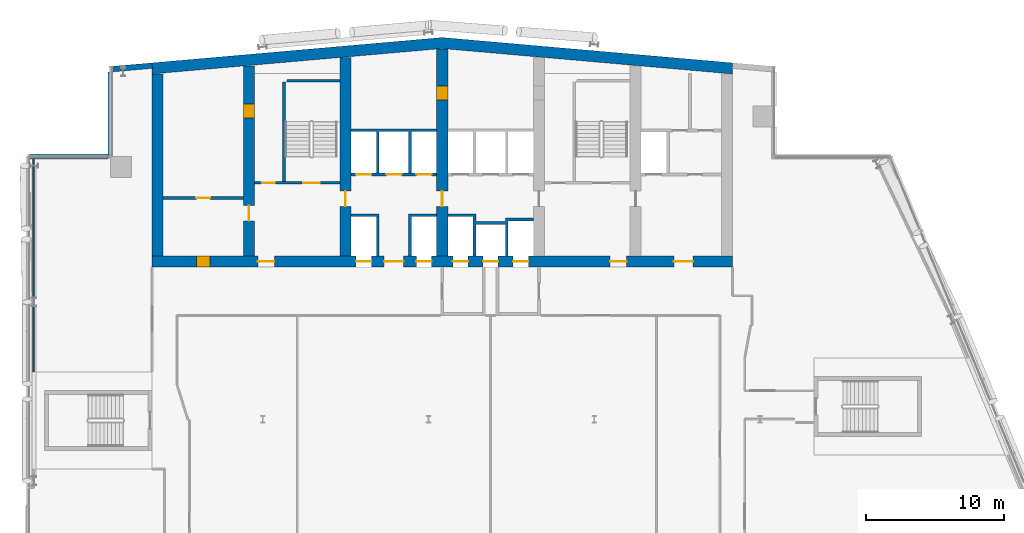
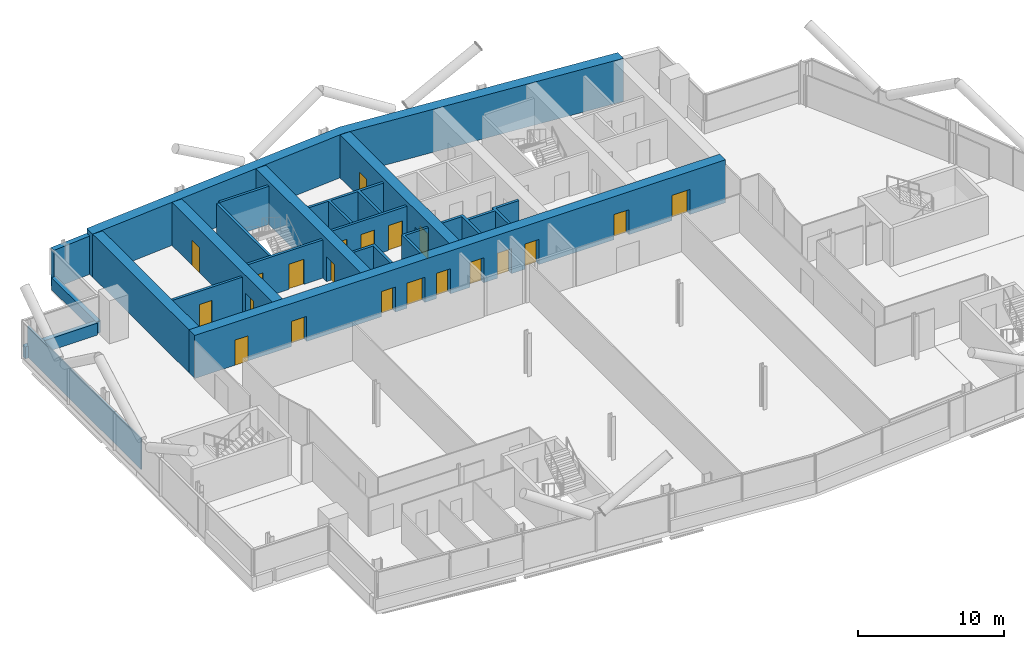
# One storey, part 17 of 26: 21 doors, 19 walls, 21 openings.
"""IFC4 building model written with IfcOpenShell, lengths in metres."""

from ifc_helpers import new_model, si_unit, direction, frame, frame_2d, origin, place, context, subcontext, project, spatial, polyline, rectangle, outline, extrude, material, layer, layer_set, type_object, element, fill, save


model = new_model("IFC4")

# Units and contexts
model_context = context("Model", 3, precision=1e-05, world=origin(), true_north=direction((0.0, 1.0)))
body_context = subcontext(model_context, "Body", "Model", "MODEL_VIEW")
ifc_project = project(units=[si_unit("LENGTHUNIT", "METRE"), si_unit("AREAUNIT", "SQUARE_METRE"), si_unit("VOLUMEUNIT", "CUBIC_METRE"), si_unit("PLANEANGLEUNIT", "RADIAN"), si_unit("MASSUNIT", "GRAM", prefix="KILO")], contexts=[model_context])

# Site, building, storey
site_placement = place(None, origin())
site = spatial("IfcSite", under=ifc_project, at=site_placement, CompositionType="ELEMENT")
building_placement = place(site_placement, origin())
building = spatial("IfcBuilding", under=site, at=building_placement, Name="Wharfspan Tower", CompositionType="ELEMENT")
storey_placement = place(building_placement, frame((0.0, 0.0, 180.699951)))
storey = spatial("IfcBuildingStorey", under=building, at=storey_placement, Name="L44", CompositionType="ELEMENT", Elevation=180.699951)

# Wall, opening, door
ifc_material_1 = material(Name="Calcium silicate masonry", Category="masonry")
ifc_layer_1 = layer(ifc_material_1, 0.199951)
ifc_layer_set_1 = layer_set([ifc_layer_1], Name="Calcium silicate masonry")
wall_type_1 = type_object("IfcWallType", Name="Core room wall 200", PredefinedType="PARTITIONING", material=ifc_layer_set_1)
wall_1_placement = place(storey_placement, frame((16.800049, 39.0, 0.0), z_axis=(0.0, 0.0, 1.0), x_axis=(1.0, 0.0, 0.0)))
wall_1 = element("IfcWall", 1, at=wall_1_placement, inside=storey, type_object=wall_type_1, Name="sw:L44:RM1", PredefinedType="PARTITIONING", context=body_context, shape_type="SweptSolid", body=[
    extrude(rectangle(XDim=5.800049, YDim=0.199951, at=frame_2d((2.899902, 0.0))), origin(), (0.0, 0.0, 1.0), 3.199951),
])
opening_1_placement = place(wall_1_placement, frame((2.399902, 0.0, 0.0)))
opening_1 = element("IfcOpeningElement", 2, at=opening_1_placement, cuts=wall_1, Name="Opening CD44.12", PredefinedType="OPENING", context=body_context, shape_type="SweptSolid", body=[
    extrude(rectangle(XDim=1.0, YDim=2.100098, at=frame_2d((0.5, 1.050049))), frame((0.0, 0.109863, 0.0), z_axis=(0.0, -1.0, 0.0), x_axis=(1.0, 0.0, 0.0)), (0.0, 0.0, 1.0), 0.219971),
])
ifc_material_2 = material(Name="Steel door leaf", Category="steel")
door_type_1 = type_object("IfcDoorType", Name="Core room door 1000x2100", OperationType="SINGLE_SWING_LEFT", PredefinedType="DOOR", material=ifc_material_2)
door_1_placement = place(opening_1_placement, origin())
door_1 = element("IfcDoor", 3, at=door_1_placement, inside=storey, type_object=door_type_1, Name="d:L44:1:rr", OperationType="SINGLE_SWING_RIGHT", OverallHeight=2.100098, OverallWidth=1.0, PredefinedType="DOOR", context=body_context, shape_type="SweptSolid", body=[
    extrude(rectangle(XDim=1.0, YDim=2.100098, at=frame_2d((0.5, 1.050049))), frame((0.0, 0.024902, 0.0), z_axis=(0.0, -1.0, 0.0), x_axis=(1.0, 0.0, 0.0)), (0.0, 0.0, 1.0), 0.050049),
])
fill(opening_1, door_1)

# Wall
ifc_material_3 = material(Name="Concrete C60/75", Category="concrete")
ifc_layer_2 = layer(ifc_material_3, 0.800049)
ifc_layer_set_2 = layer_set([ifc_layer_2], Name="Concrete C60/75")
wall_type_2 = type_object("IfcWallType", Name="Core wall 800 C60/75", PredefinedType="SHEAR", material=ifc_layer_set_2)
wall_2_placement = place(storey_placement, origin())
element("IfcWall", 4, at=wall_2_placement, inside=storey, type_object=wall_type_2, Name="Core rear wall L44", PredefinedType="SHEAR", context=body_context, shape_type="SweptSolid", body=[
    extrude(outline(polyline([(16.0, 47.984375), (37.0, 49.821533), (58.0, 47.984375), (58.0, 48.787354), (37.0, 50.624756), (16.0, 48.787354), (16.0, 47.984375)])), origin(), (0.0, 0.0, 1.0), 3.600098),
])

# Wall, openings, doors
wall_3_placement = place(storey_placement, frame((16.0, 34.399902, 0.0), z_axis=(0.0, 0.0, 1.0), x_axis=(1.0, 0.0, 0.0)))
wall_3 = element("IfcWall", 5, at=wall_3_placement, inside=storey, type_object=wall_type_2, Name="Core front wall L44", PredefinedType="SHEAR", context=body_context, shape_type="SweptSolid", body=[
    extrude(rectangle(XDim=42.0, YDim=0.800049, at=frame_2d((21.0, 0.0))), origin(), (0.0, 0.0, 1.0), 3.600098),
])
opening_2_placement = place(wall_3_placement, frame((3.199951, 0.0, 0.0)))
opening_2 = element("IfcOpeningElement", 6, at=opening_2_placement, cuts=wall_3, Name="Opening CD44.11", PredefinedType="OPENING", context=body_context, shape_type="SweptSolid", body=[
    extrude(rectangle(XDim=1.0, YDim=2.100098, at=frame_2d((0.5, 1.050049))), frame((0.0, 0.409912, 0.0), z_axis=(0.0, -1.0, 0.0), x_axis=(1.0, 0.0, 0.0)), (0.0, 0.0, 1.0), 0.820068),
])
opening_3_placement = place(wall_3_placement, frame((7.649902, 0.0, 0.0)))
opening_3 = element("IfcOpeningElement", 7, at=opening_3_placement, cuts=wall_3, Name="Opening SV2.L44", PredefinedType="OPENING", context=body_context, shape_type="SweptSolid", body=[
    extrude(rectangle(XDim=1.199951, YDim=2.100098, at=frame_2d((0.600098, 1.050049))), frame((0.0, 0.409912, 0.0), z_axis=(0.0, -1.0, 0.0), x_axis=(1.0, 0.0, 0.0)), (0.0, 0.0, 1.0), 0.820068),
])
opening_4_placement = place(wall_3_placement, frame((14.766602, 0.0, 0.0)))
opening_4 = element("IfcOpeningElement", 8, at=opening_4_placement, cuts=wall_3, Name="Opening LD.SL1.L44", PredefinedType="OPENING", context=body_context, shape_type="SweptSolid", body=[
    extrude(rectangle(XDim=1.100098, YDim=2.100098, at=frame_2d((0.550049, 1.050049))), frame((0.0, 0.409912, 0.0), z_axis=(0.0, -1.0, 0.0), x_axis=(1.0, 0.0, 0.0)), (0.0, 0.0, 1.0), 0.820068),
])
opening_5_placement = place(wall_3_placement, frame((19.133301, 0.0, 0.0)))
opening_5 = element("IfcOpeningElement", 9, at=opening_5_placement, cuts=wall_3, Name="Opening LD.SL2.L44", PredefinedType="OPENING", context=body_context, shape_type="SweptSolid", body=[
    extrude(rectangle(XDim=1.100098, YDim=2.100098, at=frame_2d((0.550049, 1.050049))), frame((0.0, 0.409912, 0.0), z_axis=(0.0, -1.0, 0.0), x_axis=(1.0, 0.0, 0.0)), (0.0, 0.0, 1.0), 0.820068),
])
opening_6_placement = place(wall_3_placement, frame((16.800049, 0.0, 0.0)))
opening_6 = element("IfcOpeningElement", 10, at=opening_6_placement, cuts=wall_3, Name="Opening HD44.3", PredefinedType="OPENING", context=body_context, shape_type="SweptSolid", body=[
    extrude(rectangle(XDim=1.399902, YDim=2.100098, at=frame_2d((0.699951, 1.050049))), frame((0.0, 0.409912, 0.0), z_axis=(0.0, -1.0, 0.0), x_axis=(1.0, 0.0, 0.0)), (0.0, 0.0, 1.0), 0.820068),
])
opening_7_placement = place(wall_3_placement, frame((21.766602, 0.0, 0.0)))
opening_7 = element("IfcOpeningElement", 11, at=opening_7_placement, cuts=wall_3, Name="Opening LD.FF1.L44", PredefinedType="OPENING", context=body_context, shape_type="SweptSolid", body=[
    extrude(rectangle(XDim=1.100098, YDim=2.100098, at=frame_2d((0.550049, 1.050049))), frame((0.0, 0.409912, 0.0), z_axis=(0.0, -1.0, 0.0), x_axis=(1.0, 0.0, 0.0)), (0.0, 0.0, 1.0), 0.820068),
])
opening_8_placement = place(wall_3_placement, frame((23.949951, 0.0, 0.0)))
opening_8 = element("IfcOpeningElement", 12, at=opening_8_placement, cuts=wall_3, Name="Opening LD.LB7.L44", PredefinedType="OPENING", context=body_context, shape_type="SweptSolid", body=[
    extrude(rectangle(XDim=1.100098, YDim=2.100098, at=frame_2d((0.550049, 1.050049))), frame((0.0, 0.409912, 0.0), z_axis=(0.0, -1.0, 0.0), x_axis=(1.0, 0.0, 0.0)), (0.0, 0.0, 1.0), 0.820068),
])
opening_9_placement = place(wall_3_placement, frame((26.133301, 0.0, 0.0)))
opening_9 = element("IfcOpeningElement", 13, at=opening_9_placement, cuts=wall_3, Name="Opening LD.FF2.L44", PredefinedType="OPENING", context=body_context, shape_type="SweptSolid", body=[
    extrude(rectangle(XDim=1.100098, YDim=2.100098, at=frame_2d((0.550049, 1.050049))), frame((0.0, 0.409912, 0.0), z_axis=(0.0, -1.0, 0.0), x_axis=(1.0, 0.0, 0.0)), (0.0, 0.0, 1.0), 0.820068),
])
opening_10_placement = place(wall_3_placement, frame((33.149902, 0.0, 0.0)))
opening_10 = element("IfcOpeningElement", 14, at=opening_10_placement, cuts=wall_3, Name="Opening SV5.L44", PredefinedType="OPENING", context=body_context, shape_type="SweptSolid", body=[
    extrude(rectangle(XDim=1.199951, YDim=2.100098, at=frame_2d((0.600098, 1.050049))), frame((0.0, 0.409912, 0.0), z_axis=(0.0, -1.0, 0.0), x_axis=(1.0, 0.0, 0.0)), (0.0, 0.0, 1.0), 0.820068),
])
opening_11_placement = place(wall_3_placement, frame((37.766602, 0.0, 0.0)))
opening_11 = element("IfcOpeningElement", 15, at=opening_11_placement, cuts=wall_3, Name="Opening HD44.6", PredefinedType="OPENING", context=body_context, shape_type="SweptSolid", body=[
    extrude(rectangle(XDim=1.399902, YDim=2.100098, at=frame_2d((0.699951, 1.050049))), frame((0.0, 0.409912, 0.0), z_axis=(0.0, -1.0, 0.0), x_axis=(1.0, 0.0, 0.0)), (0.0, 0.0, 1.0), 0.820068),
])
door_2_placement = place(opening_2_placement, origin())
door_2 = element("IfcDoor", 16, at=door_2_placement, inside=storey, type_object=door_type_1, Name="d:L44:1:rf", OperationType="SINGLE_SWING_LEFT", OverallHeight=2.100098, OverallWidth=1.0, PredefinedType="DOOR", context=body_context, shape_type="SweptSolid", body=[
    extrude(rectangle(XDim=1.0, YDim=2.100098, at=frame_2d((0.5, 1.050049))), frame((0.0, 0.399902, 0.0), z_axis=(0.0, -1.0, 0.0), x_axis=(1.0, 0.0, 0.0)), (0.0, 0.0, 1.0), 0.799561),
])
fill(opening_2, door_2)
door_type_2 = type_object("IfcDoorType", Name="Hall entry door 1400x2100", OperationType="DOUBLE_DOOR_SINGLE_SWING", PredefinedType="DOOR", material=ifc_material_2)
door_3_placement = place(opening_6_placement, origin())
door_3 = element("IfcDoor", 17, at=door_3_placement, inside=storey, type_object=door_type_2, Name="d:L44:3:hd3", OperationType="DOUBLE_DOOR_SINGLE_SWING", OverallHeight=2.100098, OverallWidth=1.399902, PredefinedType="DOOR", context=body_context, shape_type="SweptSolid", body=[
    extrude(rectangle(XDim=1.399902, YDim=2.100098, at=frame_2d((0.699951, 1.050049))), frame((0.0, 0.024902, 0.0), z_axis=(0.0, -1.0, 0.0), x_axis=(1.0, 0.0, 0.0)), (0.0, 0.0, 1.0), 0.050049),
])
fill(opening_6, door_3)
door_4_placement = place(opening_11_placement, origin())
door_4 = element("IfcDoor", 18, at=door_4_placement, inside=storey, type_object=door_type_2, Name="d:L44:6:hd6", OperationType="DOUBLE_DOOR_SINGLE_SWING", OverallHeight=2.100098, OverallWidth=1.399902, PredefinedType="DOOR", context=body_context, shape_type="SweptSolid", body=[
    extrude(rectangle(XDim=1.399902, YDim=2.100098, at=frame_2d((0.699951, 1.050049))), frame((0.0, 0.024902, 0.0), z_axis=(0.0, -1.0, 0.0), x_axis=(1.0, 0.0, 0.0)), (0.0, 0.0, 1.0), 0.050049),
])
fill(opening_11, door_4)
ifc_material_4 = material(Name="Stainless steel", Category="steel")
door_type_3 = type_object("IfcDoorType", Name="Lift landing door 1100x2100", OperationType="DOUBLE_DOOR_SLIDING", PredefinedType="DOOR", material=ifc_material_4)
door_5_placement = place(opening_4_placement, origin())
door_5 = element("IfcDoor", 19, at=door_5_placement, inside=storey, type_object=door_type_3, Name="Landing door SL1 L44", OperationType="DOUBLE_DOOR_SLIDING", OverallHeight=2.100098, OverallWidth=1.100098, PredefinedType="DOOR", context=body_context, shape_type="SweptSolid", body=[
    extrude(rectangle(XDim=1.100098, YDim=2.100098, at=frame_2d((0.550049, 1.050049))), frame((0.0, 0.024902, 0.0), z_axis=(0.0, -1.0, 0.0), x_axis=(1.0, 0.0, 0.0)), (0.0, 0.0, 1.0), 0.050049),
])
fill(opening_4, door_5)
door_6_placement = place(opening_5_placement, origin())
door_6 = element("IfcDoor", 20, at=door_6_placement, inside=storey, type_object=door_type_3, Name="Landing door SL2 L44", OperationType="DOUBLE_DOOR_SLIDING", OverallHeight=2.100098, OverallWidth=1.100098, PredefinedType="DOOR", context=body_context, shape_type="SweptSolid", body=[
    extrude(rectangle(XDim=1.100098, YDim=2.100098, at=frame_2d((0.550049, 1.050049))), frame((0.0, 0.024902, 0.0), z_axis=(0.0, -1.0, 0.0), x_axis=(1.0, 0.0, 0.0)), (0.0, 0.0, 1.0), 0.050049),
])
fill(opening_5, door_6)
door_7_placement = place(opening_7_placement, origin())
door_7 = element("IfcDoor", 21, at=door_7_placement, inside=storey, type_object=door_type_3, Name="Landing door FF1 L44", OperationType="DOUBLE_DOOR_SLIDING", OverallHeight=2.100098, OverallWidth=1.100098, PredefinedType="DOOR", context=body_context, shape_type="SweptSolid", body=[
    extrude(rectangle(XDim=1.100098, YDim=2.100098, at=frame_2d((0.550049, 1.050049))), frame((0.0, 0.024902, 0.0), z_axis=(0.0, -1.0, 0.0), x_axis=(1.0, 0.0, 0.0)), (0.0, 0.0, 1.0), 0.050049),
])
fill(opening_7, door_7)
door_8_placement = place(opening_8_placement, origin())
door_8 = element("IfcDoor", 22, at=door_8_placement, inside=storey, type_object=door_type_3, Name="Landing door LB7 L44", OperationType="DOUBLE_DOOR_SLIDING", OverallHeight=2.100098, OverallWidth=1.100098, PredefinedType="DOOR", context=body_context, shape_type="SweptSolid", body=[
    extrude(rectangle(XDim=1.100098, YDim=2.100098, at=frame_2d((0.550049, 1.050049))), frame((0.0, 0.024902, 0.0), z_axis=(0.0, -1.0, 0.0), x_axis=(1.0, 0.0, 0.0)), (0.0, 0.0, 1.0), 0.050049),
])
fill(opening_8, door_8)
door_9_placement = place(opening_9_placement, origin())
door_9 = element("IfcDoor", 23, at=door_9_placement, inside=storey, type_object=door_type_3, Name="Landing door FF2 L44", OperationType="DOUBLE_DOOR_SLIDING", OverallHeight=2.100098, OverallWidth=1.100098, PredefinedType="DOOR", context=body_context, shape_type="SweptSolid", body=[
    extrude(rectangle(XDim=1.100098, YDim=2.100098, at=frame_2d((0.550049, 1.050049))), frame((0.0, 0.024902, 0.0), z_axis=(0.0, -1.0, 0.0), x_axis=(1.0, 0.0, 0.0)), (0.0, 0.0, 1.0), 0.050049),
])
fill(opening_9, door_9)
door_type_4 = type_object("IfcDoorType", Name="Stair door 1200x2100", OperationType="SINGLE_SWING_LEFT", PredefinedType="DOOR", material=ifc_material_2)
door_10_placement = place(opening_3_placement, origin())
door_10 = element("IfcDoor", 24, at=door_10_placement, inside=storey, type_object=door_type_4, Name="vd:L44:2", OperationType="SINGLE_SWING_LEFT", OverallHeight=2.100098, OverallWidth=1.199951, PredefinedType="DOOR", context=body_context, shape_type="SweptSolid", body=[
    extrude(rectangle(XDim=1.199951, YDim=2.100098, at=frame_2d((0.600098, 1.050049))), frame((0.0, 0.024902, 0.0), z_axis=(0.0, -1.0, 0.0), x_axis=(1.0, 0.0, 0.0)), (0.0, 0.0, 1.0), 0.050049),
])
fill(opening_3, door_10)
door_11_placement = place(opening_10_placement, origin())
door_11 = element("IfcDoor", 25, at=door_11_placement, inside=storey, type_object=door_type_4, Name="vd:L44:5", OperationType="SINGLE_SWING_LEFT", OverallHeight=2.100098, OverallWidth=1.199951, PredefinedType="DOOR", context=body_context, shape_type="SweptSolid", body=[
    extrude(rectangle(XDim=1.199951, YDim=2.100098, at=frame_2d((0.600098, 1.050049))), frame((0.0, 0.024902, 0.0), z_axis=(0.0, -1.0, 0.0), x_axis=(1.0, 0.0, 0.0)), (0.0, 0.0, 1.0), 0.050049),
])
fill(opening_10, door_11)

# Wall
wall_4_placement = place(storey_placement, frame((16.399902, 34.800049, 0.0), z_axis=(0.0, 0.0, 1.0), x_axis=(0.0, 1.0, 0.0)))
element("IfcWall", 26, at=wall_4_placement, inside=storey, type_object=wall_type_2, Name="Core cross wall EW0 L44", PredefinedType="SHEAR", context=body_context, shape_type="SweptSolid", body=[
    extrude(rectangle(XDim=13.184326, YDim=0.800049, at=frame_2d((6.592285, 0.0))), origin(), (0.0, 0.0, 1.0), 3.600098),
])

# Wall, openings, doors
wall_5_placement = place(storey_placement, frame((23.0, 34.800049, 0.0), z_axis=(0.0, 0.0, 1.0), x_axis=(0.0, 1.0, 0.0)))
wall_5 = element("IfcWall", 27, at=wall_5_placement, inside=storey, type_object=wall_type_2, Name="Core cross wall X2 L44", PredefinedType="SHEAR", context=body_context, shape_type="SweptSolid", body=[
    extrude(rectangle(XDim=13.761719, YDim=0.800049, at=frame_2d((6.880859, 0.0))), origin(), (0.0, 0.0, 1.0), 3.600098),
])
opening_12_placement = place(wall_5_placement, frame((2.550049, 0.0, 0.0)))
opening_12 = element("IfcOpeningElement", 28, at=opening_12_placement, cuts=wall_5, Name="Opening CC44.2", PredefinedType="OPENING", context=body_context, shape_type="SweptSolid", body=[
    extrude(rectangle(XDim=1.100098, YDim=2.100098, at=frame_2d((0.550049, 1.050049))), frame((0.0, 0.409912, 0.0), z_axis=(0.0, -1.0, 0.0), x_axis=(1.0, 0.0, 0.0)), (0.0, 0.0, 1.0), 0.820068),
])
opening_13_placement = place(wall_5_placement, frame((10.0, 0.0, 0.0)))
opening_13 = element("IfcOpeningElement", 29, at=opening_13_placement, cuts=wall_5, Name="Opening CR44.2", PredefinedType="OPENING", context=body_context, shape_type="SweptSolid", body=[
    extrude(rectangle(XDim=1.0, YDim=2.100098, at=frame_2d((0.5, 1.050049))), frame((0.0, 0.409912, 0.0), z_axis=(0.0, -1.0, 0.0), x_axis=(1.0, 0.0, 0.0)), (0.0, 0.0, 1.0), 0.820068),
])
door_type_5 = type_object("IfcDoorType", Name="Core corridor door 1100x2100", OperationType="SINGLE_SWING_LEFT", PredefinedType="DOOR", material=ifc_material_2)
door_12_placement = place(opening_12_placement, origin())
door_12 = element("IfcDoor", 30, at=door_12_placement, inside=storey, type_object=door_type_5, Name="xd:L44:2", OperationType="SINGLE_SWING_RIGHT", OverallHeight=2.100098, OverallWidth=1.100098, PredefinedType="DOOR", context=body_context, shape_type="SweptSolid", body=[
    extrude(rectangle(XDim=1.100098, YDim=2.100098, at=frame_2d((0.550049, 1.050049))), frame((0.0, 0.024902, 0.0), z_axis=(0.0, -1.0, 0.0), x_axis=(1.0, 0.0, 0.0)), (0.0, 0.0, 1.0), 0.050049),
])
fill(opening_12, door_12)
door_13_placement = place(opening_13_placement, origin())
door_13 = element("IfcDoor", 31, at=door_13_placement, inside=storey, type_object=door_type_1, Name="xr:L44:2", OperationType="SINGLE_SWING_RIGHT", OverallHeight=2.100098, OverallWidth=1.0, PredefinedType="DOOR", context=body_context, shape_type="SweptSolid", body=[
    extrude(rectangle(XDim=1.0, YDim=2.100098, at=frame_2d((0.5, 1.050049))), frame((0.0, 0.399902, 0.0), z_axis=(0.0, -1.0, 0.0), x_axis=(1.0, 0.0, 0.0)), (0.0, 0.0, 1.0), 0.799561),
])
fill(opening_13, door_13)

# Wall, opening, door
wall_6_placement = place(storey_placement, frame((30.0, 34.800049, 0.0), z_axis=(0.0, 0.0, 1.0), x_axis=(0.0, 1.0, 0.0)))
wall_6 = element("IfcWall", 32, at=wall_6_placement, inside=storey, type_object=wall_type_2, Name="Core cross wall X3 L44", PredefinedType="SHEAR", context=body_context, shape_type="SweptSolid", body=[
    extrude(rectangle(XDim=14.374023, YDim=0.800049, at=frame_2d((7.187012, 0.0))), origin(), (0.0, 0.0, 1.0), 3.600098),
])
opening_14_placement = place(wall_6_placement, frame((3.600098, 0.0, 0.0)))
opening_14 = element("IfcOpeningElement", 33, at=opening_14_placement, cuts=wall_6, Name="Opening CC44.3", PredefinedType="OPENING", context=body_context, shape_type="SweptSolid", body=[
    extrude(rectangle(XDim=1.100098, YDim=2.100098, at=frame_2d((0.550049, 1.050049))), frame((0.0, 0.409912, 0.0), z_axis=(0.0, -1.0, 0.0), x_axis=(1.0, 0.0, 0.0)), (0.0, 0.0, 1.0), 0.820068),
])
door_14_placement = place(opening_14_placement, origin())
door_14 = element("IfcDoor", 34, at=door_14_placement, inside=storey, type_object=door_type_5, Name="xd:L44:3", OperationType="SINGLE_SWING_LEFT", OverallHeight=2.100098, OverallWidth=1.100098, PredefinedType="DOOR", context=body_context, shape_type="SweptSolid", body=[
    extrude(rectangle(XDim=1.100098, YDim=2.100098, at=frame_2d((0.550049, 1.050049))), frame((0.0, 0.024902, 0.0), z_axis=(0.0, -1.0, 0.0), x_axis=(1.0, 0.0, 0.0)), (0.0, 0.0, 1.0), 0.050049),
])
fill(opening_14, door_14)

# Wall, openings, doors
wall_7_placement = place(storey_placement, frame((37.0, 34.800049, 0.0), z_axis=(0.0, 0.0, 1.0), x_axis=(0.0, 1.0, 0.0)))
wall_7 = element("IfcWall", 35, at=wall_7_placement, inside=storey, type_object=wall_type_2, Name="Core cross wall X4 L44", PredefinedType="SHEAR", context=body_context, shape_type="SweptSolid", body=[
    extrude(rectangle(XDim=14.986572, YDim=0.800049, at=frame_2d((7.493164, 0.0))), origin(), (0.0, 0.0, 1.0), 3.600098),
])
opening_15_placement = place(wall_7_placement, frame((11.312012, 0.0, 0.0)))
opening_15 = element("IfcOpeningElement", 36, at=opening_15_placement, cuts=wall_7, Name="Opening CD44.3X", PredefinedType="OPENING", context=body_context, shape_type="SweptSolid", body=[
    extrude(rectangle(XDim=1.0, YDim=2.100098, at=frame_2d((0.5, 1.050049))), frame((0.0, 0.409912, 0.0), z_axis=(0.0, -1.0, 0.0), x_axis=(1.0, 0.0, 0.0)), (0.0, 0.0, 1.0), 0.820068),
])
opening_16_placement = place(wall_7_placement, frame((3.600098, 0.0, 0.0)))
opening_16 = element("IfcOpeningElement", 37, at=opening_16_placement, cuts=wall_7, Name="Opening CC44.4", PredefinedType="OPENING", context=body_context, shape_type="SweptSolid", body=[
    extrude(rectangle(XDim=1.100098, YDim=2.100098, at=frame_2d((0.550049, 1.050049))), frame((0.0, 0.409912, 0.0), z_axis=(0.0, -1.0, 0.0), x_axis=(1.0, 0.0, 0.0)), (0.0, 0.0, 1.0), 0.820068),
])
door_15_placement = place(opening_16_placement, origin())
door_15 = element("IfcDoor", 38, at=door_15_placement, inside=storey, type_object=door_type_5, Name="xd:L44:4", OperationType="SINGLE_SWING_RIGHT", OverallHeight=2.100098, OverallWidth=1.100098, PredefinedType="DOOR", context=body_context, shape_type="SweptSolid", body=[
    extrude(rectangle(XDim=1.100098, YDim=2.100098, at=frame_2d((0.550049, 1.050049))), frame((0.0, 0.024902, 0.0), z_axis=(0.0, -1.0, 0.0), x_axis=(1.0, 0.0, 0.0)), (0.0, 0.0, 1.0), 0.050049),
])
fill(opening_16, door_15)
door_16_placement = place(opening_15_placement, origin())
door_16 = element("IfcDoor", 39, at=door_16_placement, inside=storey, type_object=door_type_1, Name="d:L44:3:sx", OperationType="SINGLE_SWING_LEFT", OverallHeight=2.100098, OverallWidth=1.0, PredefinedType="DOOR", context=body_context, shape_type="SweptSolid", body=[
    extrude(rectangle(XDim=1.0, YDim=2.100098, at=frame_2d((0.5, 1.050049))), frame((0.0, 0.399902, 0.0), z_axis=(0.0, -1.0, 0.0), x_axis=(1.0, 0.0, 0.0)), (0.0, 0.0, 1.0), 0.799561),
])
fill(opening_15, door_16)

ifc_material_5 = material(Name="Concrete C30/37", Category="concrete")
ifc_layer_3 = layer(ifc_material_5, 0.199951)
ifc_layer_set_3 = layer_set([ifc_layer_3], Name="Concrete C30/37")
wall_type_3 = type_object("IfcWallType", Name="Lift shaft wall 200", PredefinedType="PARTITIONING", material=ifc_layer_set_3)
wall_8_placement = place(storey_placement, frame((30.399902, 40.699951, 0.0), z_axis=(0.0, 0.0, 1.0), x_axis=(1.0, 0.0, 0.0)))
wall_8 = element("IfcWall", 40, at=wall_8_placement, inside=storey, type_object=wall_type_3, Name="sw:L44:RF3", PredefinedType="PARTITIONING", context=body_context, shape_type="SweptSolid", body=[
    extrude(rectangle(XDim=6.200195, YDim=0.199951, at=frame_2d((3.100098, 0.0))), origin(), (0.0, 0.0, 1.0), 3.199951),
])
opening_17_placement = place(wall_8_placement, frame((0.366699, 0.0, 0.0)))
opening_17 = element("IfcOpeningElement", 41, at=opening_17_placement, cuts=wall_8, Name="Opening LD.LB1.L44", PredefinedType="OPENING", context=body_context, shape_type="SweptSolid", body=[
    extrude(rectangle(XDim=1.100098, YDim=2.100098, at=frame_2d((0.550049, 1.050049))), frame((0.0, 0.109863, 0.0), z_axis=(0.0, -1.0, 0.0), x_axis=(1.0, 0.0, 0.0)), (0.0, 0.0, 1.0), 0.219971),
])
opening_18_placement = place(wall_8_placement, frame((2.550049, 0.0, 0.0)))
opening_18 = element("IfcOpeningElement", 42, at=opening_18_placement, cuts=wall_8, Name="Opening LD.LB2.L44", PredefinedType="OPENING", context=body_context, shape_type="SweptSolid", body=[
    extrude(rectangle(XDim=1.100098, YDim=2.100098, at=frame_2d((0.550049, 1.050049))), frame((0.0, 0.109863, 0.0), z_axis=(0.0, -1.0, 0.0), x_axis=(1.0, 0.0, 0.0)), (0.0, 0.0, 1.0), 0.219971),
])
opening_19_placement = place(wall_8_placement, frame((4.733398, 0.0, 0.0)))
opening_19 = element("IfcOpeningElement", 43, at=opening_19_placement, cuts=wall_8, Name="Opening LD.LB3.L44", PredefinedType="OPENING", context=body_context, shape_type="SweptSolid", body=[
    extrude(rectangle(XDim=1.100098, YDim=2.100098, at=frame_2d((0.550049, 1.050049))), frame((0.0, 0.109863, 0.0), z_axis=(0.0, -1.0, 0.0), x_axis=(1.0, 0.0, 0.0)), (0.0, 0.0, 1.0), 0.219971),
])
door_17_placement = place(opening_17_placement, origin())
door_17 = element("IfcDoor", 44, at=door_17_placement, inside=storey, type_object=door_type_3, Name="Landing door LB1 L44", OperationType="DOUBLE_DOOR_SLIDING", OverallHeight=2.100098, OverallWidth=1.100098, PredefinedType="DOOR", context=body_context, shape_type="SweptSolid", body=[
    extrude(rectangle(XDim=1.100098, YDim=2.100098, at=frame_2d((0.550049, 1.050049))), frame((0.0, 0.024902, 0.0), z_axis=(0.0, -1.0, 0.0), x_axis=(1.0, 0.0, 0.0)), (0.0, 0.0, 1.0), 0.050049),
])
fill(opening_17, door_17)
door_18_placement = place(opening_18_placement, origin())
door_18 = element("IfcDoor", 45, at=door_18_placement, inside=storey, type_object=door_type_3, Name="Landing door LB2 L44", OperationType="DOUBLE_DOOR_SLIDING", OverallHeight=2.100098, OverallWidth=1.100098, PredefinedType="DOOR", context=body_context, shape_type="SweptSolid", body=[
    extrude(rectangle(XDim=1.100098, YDim=2.100098, at=frame_2d((0.550049, 1.050049))), frame((0.0, 0.024902, 0.0), z_axis=(0.0, -1.0, 0.0), x_axis=(1.0, 0.0, 0.0)), (0.0, 0.0, 1.0), 0.050049),
])
fill(opening_18, door_18)
door_19_placement = place(opening_19_placement, origin())
door_19 = element("IfcDoor", 46, at=door_19_placement, inside=storey, type_object=door_type_3, Name="Landing door LB3 L44", OperationType="DOUBLE_DOOR_SLIDING", OverallHeight=2.100098, OverallWidth=1.100098, PredefinedType="DOOR", context=body_context, shape_type="SweptSolid", body=[
    extrude(rectangle(XDim=1.100098, YDim=2.100098, at=frame_2d((0.550049, 1.050049))), frame((0.0, 0.024902, 0.0), z_axis=(0.0, -1.0, 0.0), x_axis=(1.0, 0.0, 0.0)), (0.0, 0.0, 1.0), 0.050049),
])
fill(opening_19, door_19)

# Walls
wall_9_placement = place(storey_placement, frame((0.0, 0.0, -0.000244)))
element("IfcWall", 47, at=wall_9_placement, inside=storey, type_object=wall_type_3, Name="sw:L44:FM3.0", PredefinedType="PARTITIONING", context=body_context, shape_type="SweptSolid", body=[
    extrude(outline(polyline([(32.233398, 37.649902), (30.399902, 37.649902), (30.399902, 37.850098), (32.233398, 37.850098), (32.43335, 37.850098), (32.43335, 34.800049), (32.233398, 34.800049), (32.233398, 37.649902)])), origin(), (0.0, 0.0, 1.0), 3.200195),
])
wall_10_placement = place(storey_placement, frame((0.0, 0.0, -0.000244)))
element("IfcWall", 48, at=wall_10_placement, inside=storey, type_object=wall_type_3, Name="sw:L44:FM3.1", PredefinedType="PARTITIONING", context=body_context, shape_type="SweptSolid", body=[
    extrude(outline(polyline([(34.56665, 37.850098), (34.766602, 37.850098), (36.600098, 37.850098), (36.600098, 37.649902), (34.766602, 37.649902), (34.766602, 34.800049), (34.56665, 34.800049), (34.56665, 37.850098)])), origin(), (0.0, 0.0, 1.0), 3.200195),
])
wall_11_placement = place(storey_placement, frame((0.0, 0.0, -0.000244)))
element("IfcWall", 49, at=wall_11_placement, inside=storey, type_object=wall_type_3, Name="sw:L44:RM3.0", PredefinedType="PARTITIONING", context=body_context, shape_type="SweptSolid", body=[
    extrude(outline(polyline([(32.43335, 40.800049), (32.233398, 40.800049), (32.233398, 43.800049), (30.399902, 43.800049), (30.399902, 44.0), (36.600098, 44.0), (36.600098, 43.800049), (34.766602, 43.800049), (34.766602, 40.800049), (34.56665, 40.800049), (34.56665, 43.800049), (32.43335, 43.800049), (32.43335, 40.800049)])), origin(), (0.0, 0.0, 1.0), 3.200195),
])
wall_12_placement = place(storey_placement, frame((0.0, 0.0, -0.000244)))
element("IfcWall", 50, at=wall_12_placement, inside=storey, type_object=wall_type_3, Name="sw:L44:FM4.0", PredefinedType="PARTITIONING", context=body_context, shape_type="SweptSolid", body=[
    extrude(outline(polyline([(41.56665, 37.100098), (39.43335, 37.100098), (39.43335, 34.800049), (39.233398, 34.800049), (39.233398, 37.649902), (37.399902, 37.649902), (37.399902, 37.850098), (39.233398, 37.850098), (39.43335, 37.850098), (39.43335, 37.300049), (41.56665, 37.300049), (41.56665, 37.550049), (41.766602, 37.550049), (43.600098, 37.550049), (43.600098, 37.350098), (41.766602, 37.350098), (41.766602, 34.800049), (41.56665, 34.800049), (41.56665, 37.100098)])), origin(), (0.0, 0.0, 1.0), 3.200195),
])
ifc_material_6 = material(Name="Gypsum board on steel studs", Category="steel")
ifc_layer_4 = layer(ifc_material_6, 0.100098)
ifc_layer_set_4 = layer_set([ifc_layer_4], Name="Gypsum board on steel studs")
wall_type_4 = type_object("IfcWallType", Name="Partition 100", PredefinedType="PARTITIONING", material=ifc_layer_set_4)
wall_13_placement = place(storey_placement, frame((7.419922, 26.419922, 0.0), z_axis=(0.0, 0.0, 1.0), x_axis=(0.0, 1.0, 0.0)))
element("IfcWall", 51, at=wall_13_placement, inside=storey, type_object=wall_type_4, Name="Partition L44.w003", PredefinedType="PARTITIONING", context=body_context, shape_type="SweptSolid", body=[
    extrude(rectangle(XDim=15.560059, YDim=0.100098, at=frame_2d((7.780029, 0.0))), origin(), (0.0, 0.0, 1.0), 2.580078),
])
ifc_material_7 = material(Name="Concrete C40/50", Category="concrete")
ifc_layer_5 = layer(ifc_material_7, 0.350098)
ifc_layer_set_5 = layer_set([ifc_layer_5], Name="Concrete C40/50")
wall_type_5 = type_object("IfcWallType", Name="SPANDREL EXPOSED CONCRETE 350", PredefinedType="SOLIDWALL", material=ifc_layer_set_5)
wall_14_placement = place(storey_placement, frame((12.995117, 48.126465, 0.0), z_axis=(0.0, 0.0, 1.0), x_axis=(0.0, -1.0, 0.0)))
element("IfcWall", 52, at=wall_14_placement, inside=storey, type_object=wall_type_5, Name="Spandrel upstand L44 NRW-V", PredefinedType="SOLIDWALL", context=body_context, shape_type="SweptSolid", body=[
    extrude(rectangle(XDim=6.126465, YDim=0.350098, at=frame_2d((3.063232, 0.0))), origin(), (0.0, 0.0, 1.0), 1.0),
])
wall_15_placement = place(storey_placement, frame((12.820068, 42.004883, 0.0), z_axis=(0.0, 0.0, 1.0), x_axis=(-1.0, 0.0, 0.0)))
element("IfcWall", 53, at=wall_15_placement, inside=storey, type_object=wall_type_5, Name="Spandrel upstand L44 NRW-H", PredefinedType="SOLIDWALL", context=body_context, shape_type="SweptSolid", body=[
    extrude(rectangle(XDim=5.699951, YDim=0.350098, at=frame_2d((2.850098, 0.0))), origin(), (0.0, 0.0, 1.0), 1.0),
])

# Wall, openings, doors
ifc_layer_6 = layer(ifc_material_7, 0.199951)
ifc_layer_set_6 = layer_set([ifc_layer_6], Name="Concrete C40/50")
wall_type_6 = type_object("IfcWallType", Name="Stair shaft wall 200", PredefinedType="SHEAR", material=ifc_layer_set_6)
wall_16_placement = place(storey_placement, frame((23.399902, 40.100098, 0.0), z_axis=(0.0, 0.0, 1.0), x_axis=(1.0, 0.0, 0.0)))
wall_16 = element("IfcWall", 54, at=wall_16_placement, inside=storey, type_object=wall_type_6, Name="ST1 stair enclosure wall L44", PredefinedType="SHEAR", context=body_context, shape_type="SweptSolid", body=[
    extrude(rectangle(XDim=6.200195, YDim=0.199951, at=frame_2d((3.100098, 0.0))), origin(), (0.0, 0.0, 1.0), 3.199951),
])
opening_20_placement = place(wall_16_placement, frame((3.524902, 0.0, 0.0)))
opening_20 = element("IfcOpeningElement", 55, at=opening_20_placement, cuts=wall_16, Name="Opening SD2.L44", PredefinedType="OPENING", context=body_context, shape_type="SweptSolid", body=[
    extrude(rectangle(XDim=1.199951, YDim=2.100098, at=frame_2d((0.600098, 1.050049))), frame((0.0, 0.109863, 0.0), z_axis=(0.0, -1.0, 0.0), x_axis=(1.0, 0.0, 0.0)), (0.0, 0.0, 1.0), 0.219971),
])
opening_21_placement = place(wall_16_placement, frame((0.574951, 0.0, 0.0)))
opening_21 = element("IfcOpeningElement", 56, at=opening_21_placement, cuts=wall_16, Name="Opening CD44.2R", PredefinedType="OPENING", context=body_context, shape_type="SweptSolid", body=[
    extrude(rectangle(XDim=0.899902, YDim=2.100098, at=frame_2d((0.449951, 1.050049))), frame((0.0, 0.109863, 0.0), z_axis=(0.0, -1.0, 0.0), x_axis=(1.0, 0.0, 0.0)), (0.0, 0.0, 1.0), 0.219971),
])
door_20_placement = place(opening_21_placement, origin())
door_20 = element("IfcDoor", 57, at=door_20_placement, inside=storey, type_object=door_type_1, Name="rk:L44:2", OperationType="SINGLE_SWING_LEFT", OverallHeight=2.100098, OverallWidth=0.899902, PredefinedType="DOOR", context=body_context, shape_type="SweptSolid", body=[
    extrude(rectangle(XDim=0.899902, YDim=2.100098, at=frame_2d((0.449951, 1.050049))), frame((0.0, 0.024902, 0.0), z_axis=(0.0, -1.0, 0.0), x_axis=(1.0, 0.0, 0.0)), (0.0, 0.0, 1.0), 0.050049),
])
fill(opening_21, door_20)
door_21_placement = place(opening_20_placement, origin())
door_21 = element("IfcDoor", 58, at=door_21_placement, inside=storey, type_object=door_type_4, Name="sd:L44:2", OperationType="SINGLE_SWING_RIGHT", OverallHeight=2.100098, OverallWidth=1.199951, PredefinedType="DOOR", context=body_context, shape_type="SweptSolid", body=[
    extrude(rectangle(XDim=1.199951, YDim=2.100098, at=frame_2d((0.600098, 1.050049))), frame((0.0, 0.024902, 0.0), z_axis=(0.0, -1.0, 0.0), x_axis=(1.0, 0.0, 0.0)), (0.0, 0.0, 1.0), 0.050049),
])
fill(opening_20, door_21)

# Walls
wall_17_placement = place(storey_placement, frame((25.550049, 40.199951, 0.0), z_axis=(0.0, 0.0, 1.0), x_axis=(0.0, 1.0, 0.0)))
element("IfcWall", 59, at=wall_17_placement, inside=storey, type_object=wall_type_6, Name="ST1 stair enclosure wall L44", PredefinedType="SHEAR", context=body_context, shape_type="SweptSolid", body=[
    extrude(rectangle(XDim=7.199951, YDim=0.199951, at=frame_2d((3.600098, 0.0))), origin(), (0.0, 0.0, 1.0), 3.199951),
])
wall_18_placement = place(storey_placement, frame((25.75, 47.5, 0.0), z_axis=(0.0, 0.0, 1.0), x_axis=(1.0, 0.0, 0.0)))
element("IfcWall", 60, at=wall_18_placement, inside=storey, type_object=wall_type_6, Name="ST1 stair enclosure wall L44", PredefinedType="SHEAR", context=body_context, shape_type="SweptSolid", body=[
    extrude(rectangle(XDim=3.850098, YDim=0.199951, at=frame_2d((1.925049, 0.0))), origin(), (0.0, 0.0, 1.0), 3.199951),
])
ifc_layer_7 = layer(ifc_material_7, 0.399902)
ifc_layer_set_7 = layer_set([ifc_layer_7], Name="Concrete C40/50")
wall_type_7 = type_object("IfcWallType", Name="WALL EXPOSED CONCRETE 400", PredefinedType="SOLIDWALL", material=ifc_layer_set_7)
wall_19_placement = place(storey_placement, frame((16.0, 48.58667, 0.0), z_axis=(0.0, 0.0, 1.0), x_axis=(-0.996194, -0.087168, 0.0)))
element("IfcWall", 61, at=wall_19_placement, inside=storey, type_object=wall_type_7, Name="Rear wall N1", PredefinedType="SOLIDWALL", context=body_context, shape_type="SweptSolid", body=[
    extrude(rectangle(XDim=2.994141, YDim=0.399902, at=frame_2d((1.49707, 0.0))), origin(), (0.0, 0.0, 1.0), 3.199951),
])

save(model, "model.ifc")
